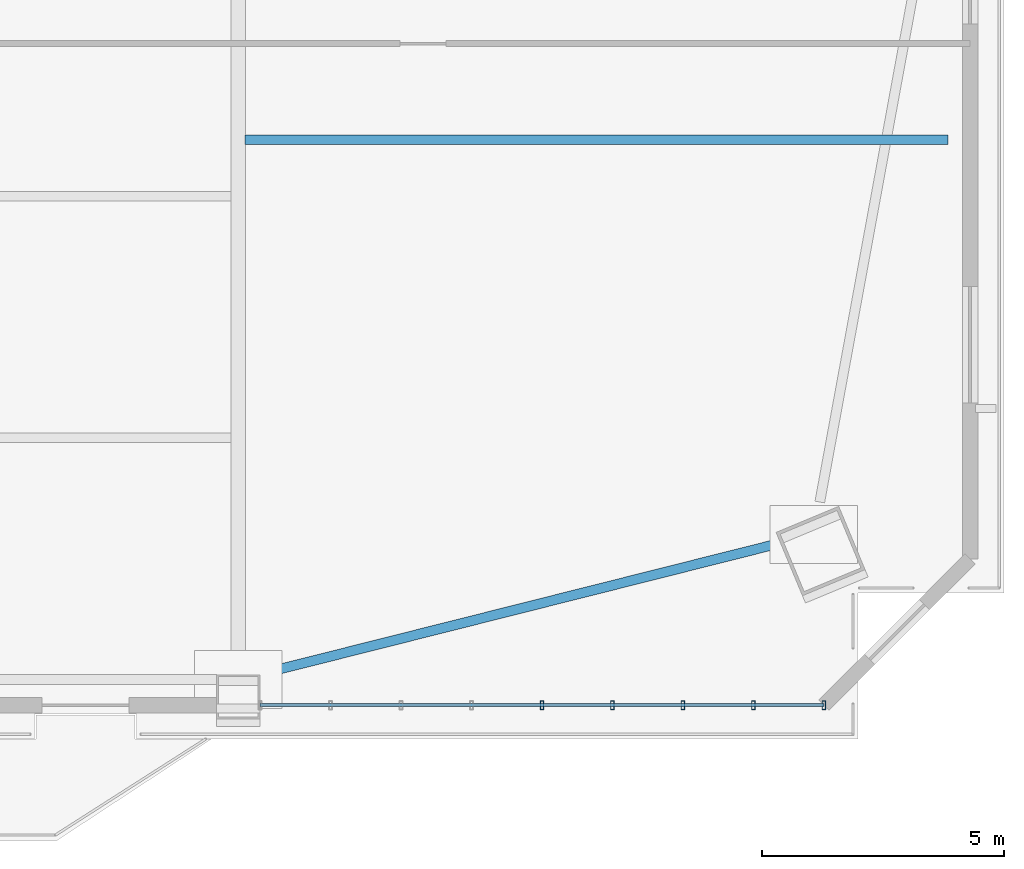
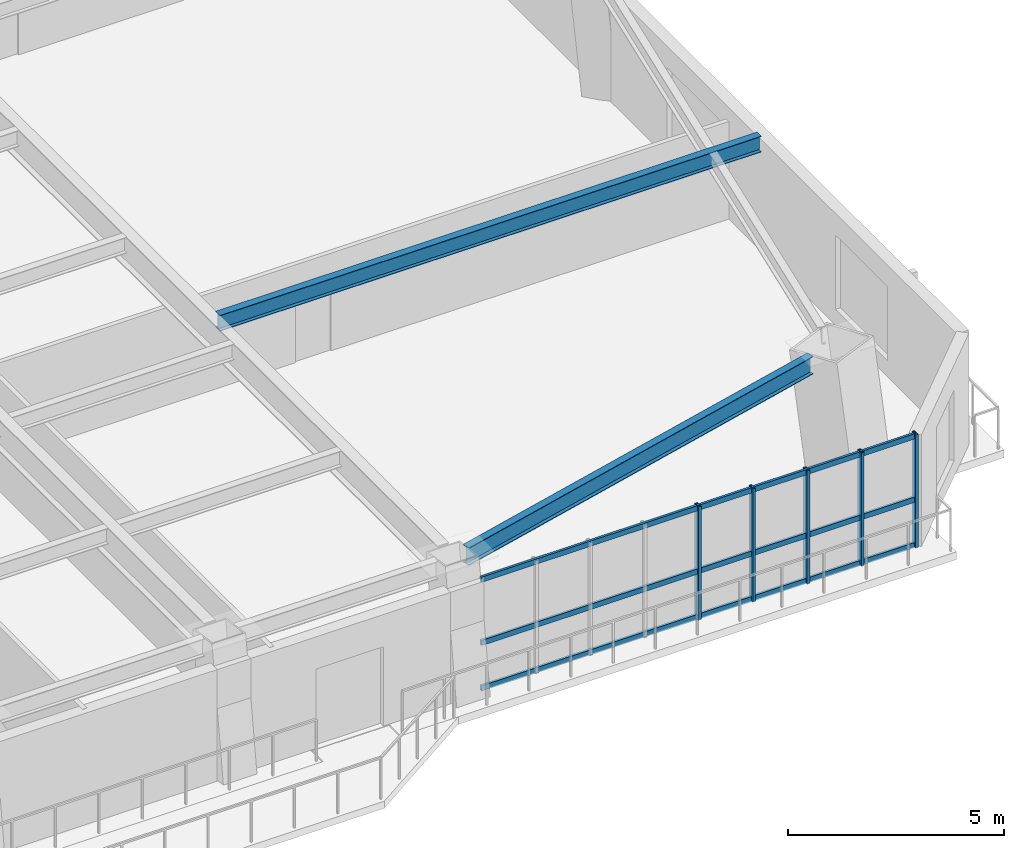
# One storey, part 5 of 15: 8 members, 2 beams, 1 element without a shape of its own.
"""IFC4 building model written with IfcOpenShell, lengths in metres."""

import ifcopenshell
import ifcopenshell.guid

model = None  # the IFC model being written
_history = None  # IfcOwnerHistory: only IFC2X3 demands one
_inside = {}  # id of a spatial element -> (the spatial element, [elements in it])
_under = {}  # id of a project, library or spatial element -> (it, [spatial elements below it])
_declared = {}  # id of a project -> (the project, [libraries it declares])
_typed = {}  # id of a type object -> (the type object, [elements of that type])
_made_of = {}  # id of a material, layer set ... -> (it, [elements and type objects made of it])


def new_model(schema):
    """Start an empty IFC model of exactly this schema.

    Asked for "IFC4X3", IfcOpenShell would pick the latest addendum, in which some entities
    have other attributes; the version numbers below select the first issue.
    IFC2X3 requires an IfcOwnerHistory on every rooted entity: one is made here for all.
    """
    global model, _history
    if schema == "IFC4X3":
        model = ifcopenshell.file(schema_version=(4, 3, 0, 0))
    else:
        model = ifcopenshell.file(schema=schema)
    _inside.clear()
    _under.clear()
    _declared.clear()
    _typed.clear()
    _made_of.clear()
    _history = None
    if model.schema == "IFC2X3":
        org = make("IfcOrganization", Name="unknown")
        user = make(
            "IfcPersonAndOrganization",
            ThePerson=make("IfcPerson", FamilyName="unknown"),
            TheOrganization=org,
        )
        app = make(
            "IfcApplication",
            ApplicationDeveloper=org,
            Version="unknown",
            ApplicationFullName="unknown",
            ApplicationIdentifier="unknown",
        )
        _history = make(
            "IfcOwnerHistory",
            OwningUser=user,
            OwningApplication=app,
            ChangeAction="ADDED",
            CreationDate=0,
        )
    return model


def make(cls, **values):
    """One entity of the class cls with the attributes given. An attribute that is None is left unset."""
    return model.create_entity(
        cls, **{name: value for name, value in values.items() if value is not None}
    )


def rooted(cls, **values):
    """An entity with a GlobalId (a new one), such as an element, a storey or a relation."""
    return make(cls, GlobalId=ifcopenshell.guid.new(), OwnerHistory=_history, **values)


def si_unit(unit_type, name, prefix=None):
    """IfcSIUnit, for example si_unit("LENGTHUNIT", "METRE", prefix="MILLI")."""
    return make("IfcSIUnit", UnitType=unit_type, Prefix=prefix, Name=name)


def assignment(units):
    """IfcUnitAssignment: the units of a project."""
    return None if units is None else make("IfcUnitAssignment", Units=units)


def point(xyz):
    """IfcCartesianPoint."""
    return None if xyz is None else make("IfcCartesianPoint", Coordinates=xyz)


def direction(xyz):
    """IfcDirection."""
    return None if xyz is None else make("IfcDirection", DirectionRatios=xyz)


def frame(location, z_axis=None, x_axis=None):
    """IfcAxis2Placement3D, a coordinate frame: its origin and axes. An axis left out is left unset."""
    return make(
        "IfcAxis2Placement3D",
        Location=point(location),
        Axis=direction(z_axis),
        RefDirection=direction(x_axis),
    )


def frame_2d(location, x_axis=None):
    """IfcAxis2Placement2D, a coordinate frame in the plane: its origin and x axis."""
    return make(
        "IfcAxis2Placement2D", Location=point(location), RefDirection=direction(x_axis)
    )


def origin():
    """The frame at (0, 0, 0) with its axes left unset."""
    return frame((0.0, 0.0, 0.0))


def origin_2d():
    """The frame at (0, 0) in the plane with its x axis left unset."""
    return frame_2d((0.0, 0.0))


def place(relative_to, where):
    """IfcLocalPlacement: puts the frame where relative to a parent placement (None: the world)."""
    return make(
        "IfcLocalPlacement", PlacementRelTo=relative_to, RelativePlacement=where
    )


def context(
    kind, dimensions, precision=None, world=None, true_north=None, identifier=None
):
    """IfcGeometricRepresentationContext, for example the 3D "Model" context."""
    return make(
        "IfcGeometricRepresentationContext",
        ContextIdentifier=identifier,
        ContextType=kind,
        CoordinateSpaceDimension=dimensions,
        Precision=precision,
        WorldCoordinateSystem=world,
        TrueNorth=true_north,
    )


def subcontext(parent, identifier, kind, view, scale=None):
    """IfcGeometricRepresentationSubContext, for example "Body" below "Model"."""
    return make(
        "IfcGeometricRepresentationSubContext",
        ContextIdentifier=identifier,
        ContextType=kind,
        ParentContext=parent,
        TargetScale=scale,
        TargetView=view,
    )


def project(units=None, contexts=None):
    """IfcProject with its units and contexts."""
    return rooted(
        "IfcProject",
        Name="project",
        RepresentationContexts=contexts,
        UnitsInContext=assignment(units),
    )


def spatial(cls, under=None, at=None, **own):
    """A site, building, storey or space (cls), placed at a placement, below another one or the project."""
    s = rooted(cls, ObjectPlacement=at, **own)
    if under is not None:
        _under.setdefault(under.id(), (under, []))[1].append(s)
    return s


def profile(cls, at=None, kind="AREA", **sizes):
    """A parametric profile (cls). Its sizes go by their IFC names, for example OverallWidth=200.0."""
    return make(cls, ProfileType=kind, Position=at, **sizes)


def hollow_rectangle(**sizes):
    """IfcRectangleHollowProfileDef."""
    return profile("IfcRectangleHollowProfileDef", **sizes)


def i_section(**sizes):
    """IfcIShapeProfileDef."""
    return profile("IfcIShapeProfileDef", **sizes)


def extrude(swept, where, along, depth):
    """IfcExtrudedAreaSolid: the profile swept, set in the frame where, extruded along a direction by depth."""
    return make(
        "IfcExtrudedAreaSolid",
        SweptArea=swept,
        Position=where,
        ExtrudedDirection=direction(along),
        Depth=depth,
    )


def shape(context_of_items, identifier, shape_type, items):
    """IfcShapeRepresentation: the items that make up one representation, for example the "Body"."""
    return make(
        "IfcShapeRepresentation",
        ContextOfItems=context_of_items,
        RepresentationIdentifier=identifier,
        RepresentationType=shape_type,
        Items=items,
    )


def source(mapping_origin, context_of_items, identifier, shape_type, items):
    """IfcRepresentationMap: a shape defined once, which mapped items show again and again."""
    return make(
        "IfcRepresentationMap",
        MappingOrigin=mapping_origin,
        MappedRepresentation=shape(context_of_items, identifier, shape_type, items),
    )


def transform(
    local_origin,
    x_axis=None,
    y_axis=None,
    z_axis=None,
    scale=None,
    scale2=None,
    scale3=None,
    uniform=True,
):
    """IfcCartesianTransformationOperator3D, or its non-uniform kind. x_axis, y_axis, z_axis: its Axis1, 2, 3."""
    if uniform:
        return make(
            "IfcCartesianTransformationOperator3D",
            Axis1=direction(x_axis),
            Axis2=direction(y_axis),
            LocalOrigin=point(local_origin),
            Scale=scale,
            Axis3=direction(z_axis),
        )
    return make(
        "IfcCartesianTransformationOperator3DnonUniform",
        Axis1=direction(x_axis),
        Axis2=direction(y_axis),
        LocalOrigin=point(local_origin),
        Scale=scale,
        Axis3=direction(z_axis),
        Scale2=scale2,
        Scale3=scale3,
    )


def mapped(mapping_source, mapping_target):
    """IfcMappedItem: shows the shape of a source again, moved by a transform."""
    return make(
        "IfcMappedItem", MappingSource=mapping_source, MappingTarget=mapping_target
    )


def material(Name=None, Category=None):
    """IfcMaterial."""
    return make("IfcMaterial", Name=Name, Category=Category)


def layer(
    of_material, thickness, ventilated=None, Name=None, Category=None, Priority=None
):
    """IfcMaterialLayer: one layer of a wall or slab, of a material (None: an air gap)."""
    return make(
        "IfcMaterialLayer",
        Material=of_material,
        LayerThickness=thickness,
        IsVentilated=ventilated,
        Name=Name,
        Category=Category,
        Priority=Priority,
    )


def layer_set(layers, Name=None):
    """IfcMaterialLayerSet."""
    return make("IfcMaterialLayerSet", MaterialLayers=layers, LayerSetName=Name)


def material_profile(
    of_material, cross_section, Name=None, Category=None, Priority=None
):
    """IfcMaterialProfile: a cross section and its material."""
    return make(
        "IfcMaterialProfile",
        Name=Name,
        Material=of_material,
        Profile=cross_section,
        Priority=Priority,
        Category=Category,
    )


def profile_set(profiles, Name=None, composite=None):
    """IfcMaterialProfileSet."""
    return make(
        "IfcMaterialProfileSet",
        Name=Name,
        MaterialProfiles=profiles,
        CompositeProfile=composite,
    )


def made_of(thing, what):
    """Note that an element or type object is made of a material, layer set ...; save() writes the relation."""
    if what is not None:
        _made_of.setdefault(what.id(), (what, []))[1].append(thing)
    return thing


def type_object(cls, material=None, **own):
    """A type object (cls), such as IfcWallType, which elements share."""
    return made_of(rooted(cls, **own), material)


def element(
    cls,
    number,
    at=None,
    inside=None,
    cuts=None,
    type_object=None,
    material=None,
    context=None,
    identifier="Body",
    shape_type=None,
    held_by="IfcProductDefinitionShape",
    body=None,
    shapes=None,
    **own,
):
    """One element of the class cls, such as IfcWall. Its Tag is "e" and its number.

    at: its placement. inside: the storey or other place that contains it. cuts: it is an
    opening in that element (IfcRelVoidsElement). A single representation is given by context,
    identifier, shape_type and body (its items); several are given by shapes. held_by: the class
    of the entity that holds the representations. save() writes the other relations.
    """
    e = rooted(cls, Tag="e%d" % number, ObjectPlacement=at, **own)
    if body is not None:
        shapes = [shape(context, identifier, shape_type, body)]
    if shapes is not None:
        e.Representation = make(held_by, Representations=shapes)
    if inside is not None:
        _inside.setdefault(inside.id(), (inside, []))[1].append(e)
    if cuts is not None:
        rooted(
            "IfcRelVoidsElement", RelatingBuildingElement=cuts, RelatedOpeningElement=e
        )
    if type_object is not None:
        _typed.setdefault(type_object.id(), (type_object, []))[1].append(e)
    return made_of(e, material)


def aggregate(whole, parts):
    """IfcRelAggregates: a whole, such as a stair, and the parts it consists of."""
    return rooted("IfcRelAggregates", RelatingObject=whole, RelatedObjects=parts)


def save(model, path):
    """Write the relations noted so far, then the file.

    IfcRelAggregates (storeys below a building ...), IfcRelContainedInSpatialStructure (elements
    in a storey), IfcRelDefinesByType, IfcRelAssociatesMaterial and IfcRelDeclares: one each for
    every whole, place, type object, material and project.
    """
    for whole, parts in _under.values():
        aggregate(whole, parts)
    for where, things in _inside.values():
        rooted(
            "IfcRelContainedInSpatialStructure",
            RelatedElements=things,
            RelatingStructure=where,
        )
    for kind, things in _typed.values():
        rooted("IfcRelDefinesByType", RelatedObjects=things, RelatingType=kind)
    for what, things in _made_of.values():
        rooted("IfcRelAssociatesMaterial", RelatedObjects=things, RelatingMaterial=what)
    for by, libraries in _declared.values():
        rooted("IfcRelDeclares", RelatingContext=by, RelatedDefinitions=libraries)
    model.write(path)


model = new_model("IFC4")

# Units and contexts
model_context = context("Model", 3, precision=1e-05, world=origin(), true_north=direction((0.0, 1.0)))
body_context = subcontext(model_context, "Body", "Model", "MODEL_VIEW")
ifc_project = project(units=[si_unit("LENGTHUNIT", "METRE"), si_unit("AREAUNIT", "SQUARE_METRE"), si_unit("VOLUMEUNIT", "CUBIC_METRE"), si_unit("PLANEANGLEUNIT", "RADIAN"), si_unit("MASSUNIT", "GRAM", prefix="KILO")], contexts=[model_context])

# Site, building, storey
site_placement = place(None, origin())
site = spatial("IfcSite", under=ifc_project, at=site_placement, CompositionType="ELEMENT")
building_placement = place(site_placement, origin())
building = spatial("IfcBuilding", under=site, at=building_placement, Name="Giltprow Tower", CompositionType="ELEMENT")
storey_placement = place(building_placement, frame((0.0, 0.0, 119.199951171875)))
storey = spatial("IfcBuildingStorey", under=building, at=storey_placement, Name="L29", CompositionType="ELEMENT", Elevation=119.199951171875)

# Beams
ifc_material_1 = material(Name="Structural steel Q355B", Category="steel")
ifc_material_profile_1 = material_profile(ifc_material_1, i_section(OverallWidth=0.199951171875, OverallDepth=0.5, WebThickness=0.010009765625, FlangeThickness=0.01611328125, at=origin_2d()), Name="HN 500x200x10x16")
ifc_profile_set_1 = profile_set([ifc_material_profile_1], Name="Structural steel Q355B")
beam_type_1 = type_object("IfcBeamType", Name="BM-SPAN-HN500", PredefinedType="SPANDREL", material=ifc_profile_set_1)
shared_shape_1 = source(origin(), body_context, "Body", "SweptSolid", [
    extrude(i_section(OverallWidth=0.199951171875, OverallDepth=0.5, WebThickness=0.010009765625, FlangeThickness=0.01611328125, at=origin_2d()), origin(), (0.0, 0.0, 1.0), 11.131103515625),
])
beam_1_placement = place(storey_placement, frame((50.971923828125, 7.6240234375, 3.429931640625), z_axis=(0.96972953457, 0.244181550864, 0.0), x_axis=(-0.244181550864, 0.96972953457, 0.0)))
element("IfcBeam", 1, at=beam_1_placement, inside=storey, type_object=beam_type_1, Name="L29 Perimeter Spandrel Beam S4-MC_SE", PredefinedType="SPANDREL", context=body_context, shape_type="MappedRepresentation", body=[
    mapped(shared_shape_1, transform((0.0, 0.0, 0.0), x_axis=(1.0, 0.0, 0.0), y_axis=(0.0, 1.0, 0.0), z_axis=(0.0, 0.0, 1.0), scale=1.0)),
])
ifc_material_profile_2 = material_profile(ifc_material_1, i_section(OverallWidth=0.199951171875, OverallDepth=0.449951171875, WebThickness=0.009033203125, FlangeThickness=0.013916015625, at=origin_2d()), Name="HN 450x200x9x14")
ifc_profile_set_2 = profile_set([ifc_material_profile_2], Name="Structural steel Q355B")
beam_type_2 = type_object("IfcBeamType", Name="BM-JOIST-HN450", PredefinedType="JOIST", material=ifc_profile_set_2)
shared_shape_2 = source(origin(), body_context, "Body", "SweptSolid", [
    extrude(i_section(OverallWidth=0.199951171875, OverallDepth=0.449951171875, WebThickness=0.009033203125, FlangeThickness=0.013916015625, at=origin_2d()), origin(), (0.0, 0.0, 1.0), 14.505859375),
])
beam_2_placement = place(storey_placement, frame((50.695068359375, 18.658935546875, 3.455078125), z_axis=(1.0, 0.0, 0.0), x_axis=(0.0, 1.0, 0.0)))
element("IfcBeam", 2, at=beam_2_placement, inside=storey, type_object=beam_type_2, Name="L29 East Wing Floor Joist 1", PredefinedType="JOIST", context=body_context, shape_type="MappedRepresentation", body=[
    mapped(shared_shape_2, transform((0.0, 0.0, 0.0), x_axis=(1.0, 0.0, 0.0), y_axis=(0.0, 1.0, 0.0), z_axis=(0.0, 0.0, 1.0), scale=1.0)),
])

# Curtain wall, members
ifc_material_2 = material(Name="Anodized bronze", Category="metal")
ifc_layer = layer(ifc_material_2, 0.179931640625, Name="Anodized bronze")
ifc_layer_set = layer_set([ifc_layer], Name="Anodized bronze")
curtain_wall_type = type_object("IfcCurtainWallType", Name="CW-OFF-RECESSED", PredefinedType="NOTDEFINED", material=ifc_layer_set)
curtain_wall_placement = place(storey_placement, origin())
curtain_wall = element("IfcCurtainWall", 3, at=curtain_wall_placement, inside=storey, type_object=curtain_wall_type, Name="L29 South Recessed Curtain Wall 6", PredefinedType="NOTDEFINED")
ifc_material_profile_3 = material_profile(ifc_material_2, hollow_rectangle(XDim=0.074951171875, YDim=0.179931640625, WallThickness=0.008056640625, at=origin_2d()), Name="RHS 180x75x8")
ifc_profile_set_3 = profile_set([ifc_material_profile_3], Name="Anodized bronze")
member_type_1 = type_object("IfcMemberType", Name="CW-MULLION-180x75", PredefinedType="MULLION", material=ifc_profile_set_3)
shared_shape_3 = source(origin(), body_context, "Body", "SweptSolid", [
    extrude(hollow_rectangle(XDim=0.074951171875, YDim=0.179931640625, WallThickness=0.008056640625, at=origin_2d()), origin(), (0.0, 0.0, 1.0), 3.215087890625),
])
member_1_placement = place(storey_placement, frame((56.820068359375, 6.989990234375, -0.02001953125), z_axis=(0.0, 0.0, 1.0), x_axis=(1.0, 0.0, 0.0)))
member_1 = element("IfcMember", 4, at=member_1_placement, type_object=member_type_1, Name="L29 South Recessed Curtain Wall 6 Mullion 5", PredefinedType="MULLION", context=body_context, shape_type="MappedRepresentation", body=[
    mapped(shared_shape_3, transform((0.0, 0.0, 0.0), x_axis=(1.0, 0.0, 0.0), y_axis=(0.0, 1.0, 0.0), z_axis=(0.0, 0.0, 1.0), scale=1.0)),
])
member_2_placement = place(storey_placement, frame((58.27392578125, 6.989990234375, -0.02001953125), z_axis=(0.0, 0.0, 1.0), x_axis=(1.0, 0.0, 0.0)))
member_2 = element("IfcMember", 5, at=member_2_placement, type_object=member_type_1, Name="L29 South Recessed Curtain Wall 6 Mullion 6", PredefinedType="MULLION", context=body_context, shape_type="MappedRepresentation", body=[
    mapped(shared_shape_3, transform((0.0, 0.0, 0.0), x_axis=(1.0, 0.0, 0.0), y_axis=(0.0, 1.0, 0.0), z_axis=(0.0, 0.0, 1.0), scale=1.0)),
])
member_3_placement = place(storey_placement, frame((59.72900390625, 6.989990234375, -0.02001953125), z_axis=(0.0, 0.0, 1.0), x_axis=(1.0, 0.0, 0.0)))
member_3 = element("IfcMember", 6, at=member_3_placement, type_object=member_type_1, Name="L29 South Recessed Curtain Wall 6 Mullion 7", PredefinedType="MULLION", context=body_context, shape_type="MappedRepresentation", body=[
    mapped(shared_shape_3, transform((0.0, 0.0, 0.0), x_axis=(1.0, 0.0, 0.0), y_axis=(0.0, 1.0, 0.0), z_axis=(0.0, 0.0, 1.0), scale=1.0)),
])
member_4_placement = place(storey_placement, frame((61.18408203125, 6.989990234375, -0.02001953125), z_axis=(0.0, 0.0, 1.0), x_axis=(1.0, 0.0, 0.0)))
member_4 = element("IfcMember", 7, at=member_4_placement, type_object=member_type_1, Name="L29 South Recessed Curtain Wall 6 Mullion 8", PredefinedType="MULLION", context=body_context, shape_type="MappedRepresentation", body=[
    mapped(shared_shape_3, transform((0.0, 0.0, 0.0), x_axis=(1.0, 0.0, 0.0), y_axis=(0.0, 1.0, 0.0), z_axis=(0.0, 0.0, 1.0), scale=1.0)),
])
member_5_placement = place(storey_placement, frame((62.638916015625, 6.989990234375, -0.02001953125), z_axis=(0.0, 0.0, 1.0), x_axis=(1.0, 0.0, 0.0)))
member_5 = element("IfcMember", 8, at=member_5_placement, type_object=member_type_1, Name="L29 South Recessed Curtain Wall 6 Mullion 9", PredefinedType="MULLION", context=body_context, shape_type="MappedRepresentation", body=[
    mapped(shared_shape_3, transform((0.0, 0.0, 0.0), x_axis=(1.0, 0.0, 0.0), y_axis=(0.0, 1.0, 0.0), z_axis=(0.0, 0.0, 1.0), scale=1.0)),
])
ifc_material_profile_4 = material_profile(ifc_material_2, hollow_rectangle(XDim=0.06494140625, YDim=0.14990234375, WallThickness=0.006103515625, at=origin_2d()), Name="RHS 150x65x6")
ifc_profile_set_4 = profile_set([ifc_material_profile_4], Name="Anodized bronze")
member_type_2 = type_object("IfcMemberType", Name="CW-TRANSOM-150x65", PredefinedType="USERDEFINED", material=ifc_profile_set_4)
shared_shape_4 = source(origin(), body_context, "Body", "SweptSolid", [
    extrude(hollow_rectangle(XDim=0.06494140625, YDim=0.14990234375, WallThickness=0.006103515625, at=origin_2d()), origin(), (0.0, 0.0, 1.0), 11.638916015625),
])
member_6_placement = place(storey_placement, frame((51.0, 6.989990234375, 0.0400390625), z_axis=(1.0, 0.0, 0.0), x_axis=(0.0, 1.0, 0.0)))
member_6 = element("IfcMember", 9, at=member_6_placement, type_object=member_type_2, Name="L29 South Recessed Curtain Wall 6 Transom 1", ObjectType="TRANSOM", PredefinedType="USERDEFINED", context=body_context, shape_type="MappedRepresentation", body=[
    mapped(shared_shape_4, transform((0.0, 0.0, 0.0), x_axis=(1.0, 0.0, 0.0), y_axis=(0.0, 1.0, 0.0), z_axis=(0.0, 0.0, 1.0), scale=1.0)),
])
member_7_placement = place(storey_placement, frame((51.0, 6.989990234375, 1.3271484375), z_axis=(1.0, 0.0, 0.0), x_axis=(0.0, 1.0, 0.0)))
member_7 = element("IfcMember", 10, at=member_7_placement, type_object=member_type_2, Name="L29 South Recessed Curtain Wall 6 Transom 2", ObjectType="TRANSOM", PredefinedType="USERDEFINED", context=body_context, shape_type="MappedRepresentation", body=[
    mapped(shared_shape_4, transform((0.0, 0.0, 0.0), x_axis=(1.0, 0.0, 0.0), y_axis=(0.0, 1.0, 0.0), z_axis=(0.0, 0.0, 1.0), scale=1.0)),
])
member_8_placement = place(storey_placement, frame((51.0, 6.989990234375, 3.1201171875), z_axis=(1.0, 0.0, 0.0), x_axis=(0.0, 1.0, 0.0)))
member_8 = element("IfcMember", 11, at=member_8_placement, type_object=member_type_2, Name="L29 South Recessed Curtain Wall 6 Transom 3", ObjectType="TRANSOM", PredefinedType="USERDEFINED", context=body_context, shape_type="MappedRepresentation", body=[
    mapped(shared_shape_4, transform((0.0, 0.0, 0.0), x_axis=(1.0, 0.0, 0.0), y_axis=(0.0, 1.0, 0.0), z_axis=(0.0, 0.0, 1.0), scale=1.0)),
])
aggregate(curtain_wall, [member_1, member_2, member_3, member_4, member_5, member_6, member_7, member_8])

save(model, "model.ifc")
